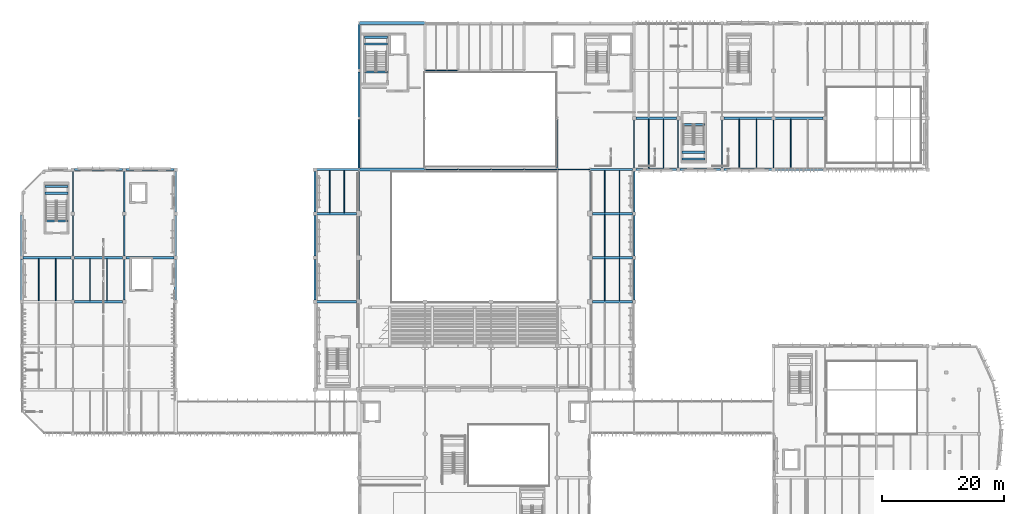
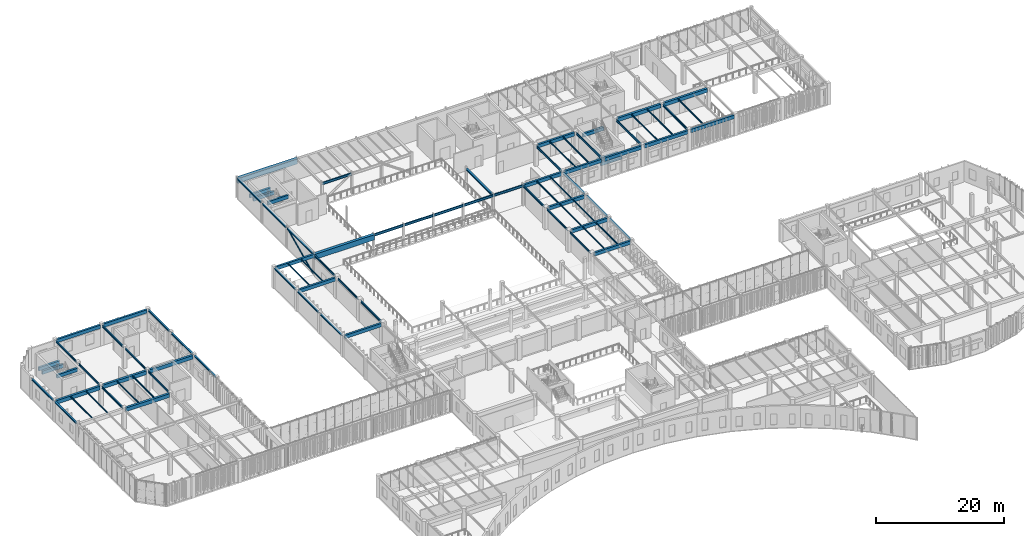
# One storey, part 14 of 122: 85 beams, 1 member.
"""IFC4 building model written with IfcOpenShell, lengths in metres."""

from ifc_helpers import new_model, si_unit, direction, frame, origin, origin_2d, place, context, subcontext, project, spatial, rectangle, hollow_circle, i_section, extrude, material, material_profile, profile_set, type_object, element, save


model = new_model("IFC4")

# Units and contexts
model_context = context("Model", 3, precision=1e-05, world=origin(), true_north=direction((0.0, 1.0)))
body_context = subcontext(model_context, "Body", "Model", "MODEL_VIEW")
ifc_project = project(units=[si_unit("LENGTHUNIT", "METRE"), si_unit("AREAUNIT", "SQUARE_METRE"), si_unit("VOLUMEUNIT", "CUBIC_METRE"), si_unit("PLANEANGLEUNIT", "RADIAN"), si_unit("MASSUNIT", "GRAM", prefix="KILO")], contexts=[model_context])

# Site, building, storey
site_placement = place(None, origin())
site = spatial("IfcSite", under=ifc_project, at=site_placement, CompositionType="ELEMENT")
building_placement = place(site_placement, origin())
building = spatial("IfcBuilding", under=site, at=building_placement, Name="Tazoul Stagehouse", CompositionType="ELEMENT")
storey_placement = place(building_placement, frame((0.0, 0.0, 4.800048828125)))
storey = spatial("IfcBuildingStorey", under=building, at=storey_placement, Name="L01", CompositionType="ELEMENT", Elevation=4.800048828125)

# Member
ifc_material_1 = material(Name="Steel S355", Category="steel")
ifc_material_profile_1 = material_profile(ifc_material_1, hollow_circle(Radius=0.136474609375, WallThickness=0.010009765625, at=origin_2d()), Name="CHS 273x10")
ifc_profile_set_1 = profile_set([ifc_material_profile_1], Name="Steel S355")
member_type = type_object("IfcMemberType", Name="Fly-Tower Diagonal Brace CHS 273x10 (Exterior)", PredefinedType="BRACE", material=ifc_profile_set_1)
member_placement = place(storey_placement, frame((57.60009765625, 87.919921875, 0.050048828125), z_axis=(0.0, 0.905335023516, 0.42469812243), x_axis=(-1.0, 0.0, 0.0)))
element("IfcMember", 1, at=member_placement, inside=storey, type_object=member_type, Name="L01 Concentric Brace BR-01E (BR-FT-L01-W1)", PredefinedType="BRACE", context=body_context, shape_type="SweptSolid", body=[
    extrude(hollow_circle(Radius=0.136474609375, WallThickness=0.010009765625, at=origin_2d()), origin(), (0.0, 0.0, 1.0), 8.947021484375),
])

# Beams
ifc_material_2 = material(Name="Concrete C40/50", Category="concrete")
ifc_material_profile_2 = material_profile(ifc_material_2, rectangle(XDim=0.35009765625, YDim=0.64990234375, at=origin_2d()), Name="RC 350x650")
ifc_profile_set_2 = profile_set([ifc_material_profile_2], Name="Concrete C40/50")
beam_type_1 = type_object("IfcBeamType", Name="RC Perimeter Spandrel 350x650 (Exterior)", PredefinedType="SPANDREL", material=ifc_profile_set_2)
beam_1_placement = place(storey_placement, frame((11.074951171875, 87.800048828125, 3.613037109375), z_axis=(1.0, 0.0, 0.0), x_axis=(0.0, 1.0, 0.0)))
element("IfcBeam", 2, at=beam_1_placement, inside=storey, type_object=beam_type_1, Name="L01 Beam SP-01E N/2-3", PredefinedType="SPANDREL", context=body_context, shape_type="SweptSolid", body=[
    extrude(rectangle(XDim=0.35009765625, YDim=0.64990234375, at=origin_2d()), origin(), (0.0, 0.0, 1.0), 7.85009765625),
])
beam_2_placement = place(storey_placement, frame((19.47509765625, 87.800048828125, 3.613037109375), z_axis=(1.0, 0.0, 0.0), x_axis=(0.0, 1.0, 0.0)))
element("IfcBeam", 3, at=beam_2_placement, inside=storey, type_object=beam_type_1, Name="L01 Beam SP-01E N/3-4", PredefinedType="SPANDREL", context=body_context, shape_type="SweptSolid", body=[
    extrude(rectangle(XDim=0.35009765625, YDim=0.64990234375, at=origin_2d()), origin(), (0.0, 0.0, 1.0), 7.849853515625),
])
beam_3_placement = place(storey_placement, frame((50.675048828125, 87.800048828125, 3.613037109375), z_axis=(1.0, 0.0, 0.0), x_axis=(0.0, 1.0, 0.0)))
element("IfcBeam", 4, at=beam_3_placement, inside=storey, type_object=beam_type_1, Name="L01 Beam SP-01E N/7-8", PredefinedType="SPANDREL", context=body_context, shape_type="SweptSolid", body=[
    extrude(rectangle(XDim=0.35009765625, YDim=0.64990234375, at=origin_2d()), origin(), (0.0, 0.0, 1.0), 6.9150390625),
])
beam_4_placement = place(storey_placement, frame((102.875, 87.800048828125, 3.613037109375), z_axis=(1.0, 0.0, 0.0), x_axis=(0.0, 1.0, 0.0)))
element("IfcBeam", 5, at=beam_4_placement, inside=storey, type_object=beam_type_1, Name="L01 Beam SP-01E N/16-17", PredefinedType="SPANDREL", context=body_context, shape_type="SweptSolid", body=[
    extrude(rectangle(XDim=0.35009765625, YDim=0.64990234375, at=origin_2d()), origin(), (0.0, 0.0, 1.0), 6.64990234375),
])
beam_5_placement = place(storey_placement, frame((110.074951171875, 87.800048828125, 3.613037109375), z_axis=(1.0, 0.0, 0.0), x_axis=(0.0, 1.0, 0.0)))
element("IfcBeam", 6, at=beam_5_placement, inside=storey, type_object=beam_type_1, Name="L01 Beam SP-01E N/17-18", PredefinedType="SPANDREL", context=body_context, shape_type="SweptSolid", body=[
    extrude(rectangle(XDim=0.35009765625, YDim=0.64990234375, at=origin_2d()), origin(), (0.0, 0.0, 1.0), 6.650146484375),
])
beam_6_placement = place(storey_placement, frame((117.27490234375, 87.800048828125, 3.613037109375), z_axis=(1.0, 0.0, 0.0), x_axis=(0.0, 1.0, 0.0)))
element("IfcBeam", 7, at=beam_6_placement, inside=storey, type_object=beam_type_1, Name="L01 Beam SP-01E N/18-19", PredefinedType="SPANDREL", context=body_context, shape_type="SweptSolid", body=[
    extrude(rectangle(XDim=0.35009765625, YDim=0.64990234375, at=origin_2d()), origin(), (0.0, 0.0, 1.0), 7.85009765625),
])
beam_7_placement = place(storey_placement, frame((125.675048828125, 87.800048828125, 3.613037109375), z_axis=(1.0, 0.0, 0.0), x_axis=(0.0, 1.0, 0.0)))
element("IfcBeam", 8, at=beam_7_placement, inside=storey, type_object=beam_type_1, Name="L01 Beam SP-01E N/19-20", PredefinedType="SPANDREL", context=body_context, shape_type="SweptSolid", body=[
    extrude(rectangle(XDim=0.35009765625, YDim=0.64990234375, at=origin_2d()), origin(), (0.0, 0.0, 1.0), 7.849853515625),
])
ifc_material_profile_3 = material_profile(ifc_material_2, rectangle(XDim=0.35009765625, YDim=0.64990234375, at=origin_2d()), Name="RC 350x650")
ifc_profile_set_3 = profile_set([ifc_material_profile_3], Name="Concrete C40/50")
beam_type_2 = type_object("IfcBeamType", Name="RC Primary Girder 350x650", PredefinedType="BEAM", material=ifc_profile_set_3)
for number, where, z_axis, x_axis, name in (
    (9, (50.675048828125, 66.199951171875, 3.613037109375), (1.0, 0.0, 0.0), (0.0, 1.0, 0.0), "L01 Beam BM-01 K/7-8"),
    (10, (95.77490234375, 66.199951171875, 3.613037109375), (1.0, 0.0, 0.0), (0.0, 1.0, 0.0), "L01 Beam BM-01 K/15-16"),
    (11, (95.77490234375, 73.39990234375, 3.613037109375), (1.0, 0.0, 0.0), (0.0, 1.0, 0.0), "L01 Beam BM-01 L/15-16"),
    (12, (50.675048828125, 80.60009765625, 3.613037109375), (1.0, 0.0, 0.0), (0.0, 1.0, 0.0), "L01 Beam BM-01 M/7-8"),
    (13, (95.77490234375, 80.60009765625, 3.613037109375), (1.0, 0.0, 0.0), (0.0, 1.0, 0.0), "L01 Beam BM-01 M/15-16"),
):
    element("IfcBeam", number, at=place(storey_placement, frame(where, z_axis=z_axis, x_axis=x_axis)), inside=storey, type_object=beam_type_2, Name=name, PredefinedType="BEAM", context=body_context, shape_type="SweptSolid", body=[
        extrude(rectangle(XDim=0.35009765625, YDim=0.64990234375, at=origin_2d()), origin(), (0.0, 0.0, 1.0), 6.550048828125),
    ])
beam_8_placement = place(storey_placement, frame((95.409912109375, 87.800048828125, 3.613037109375), z_axis=(1.0, 0.0, 0.0), x_axis=(0.0, 1.0, 0.0)))
element("IfcBeam", 14, at=beam_8_placement, inside=storey, type_object=beam_type_2, Name="L01 Beam BM-01 N/15-16", PredefinedType="BEAM", context=body_context, shape_type="SweptSolid", body=[
    extrude(rectangle(XDim=0.35009765625, YDim=0.64990234375, at=origin_2d()), origin(), (0.0, 0.0, 1.0), 6.9150390625),
])
beam_9_placement = place(storey_placement, frame((102.875, 96.199951171875, 3.613037109375), z_axis=(1.0, 0.0, 0.0), x_axis=(0.0, 1.0, 0.0)))
element("IfcBeam", 15, at=beam_9_placement, inside=storey, type_object=beam_type_2, Name="L01 Beam BM-01 P/16-17", PredefinedType="BEAM", context=body_context, shape_type="SweptSolid", body=[
    extrude(rectangle(XDim=0.35009765625, YDim=0.64990234375, at=origin_2d()), origin(), (0.0, 0.0, 1.0), 6.64990234375),
])
for number, where, z_axis, x_axis, name in (
    (16, (58.469970703125, 108.35009765625, 1.579833984375), (1.0, 0.0, 0.0), (0.0, 1.0, 0.0), "L01 Stair Half-Landing Trimmer BM-01 (ST-03-1)"),
    (17, (58.469970703125, 109.449951171875, 1.579833984375), (1.0, 0.0, 0.0), (0.0, 1.0, 0.0), "L01 Stair Half-Landing Trimmer BM-01 (ST-03-2)"),
    (18, (58.469970703125, 103.800048828125, 3.614990234375), (1.0, 0.0, 0.0), (0.0, 1.0, 0.0), "L01 Stair Landing Trimmer BM-01 (ST-03-FL)"),
    (19, (110.419921875, 89.550048828125, 1.579833984375), (1.0, 0.0, 0.0), (0.0, 1.0, 0.0), "L01 Stair Half-Landing Trimmer BM-01 (ST-04-1)"),
    (20, (110.419921875, 90.64990234375, 1.579833984375), (1.0, 0.0, 0.0), (0.0, 1.0, 0.0), "L01 Stair Half-Landing Trimmer BM-01 (ST-04-2)"),
    (21, (110.419921875, 95.199951171875, 3.614990234375), (1.0, 0.0, 0.0), (0.0, 1.0, 0.0), "L01 Stair Landing Trimmer BM-01 (ST-04-FL)"),
    (22, (6.219970703125, 83.949951171875, 1.579833984375), (1.0, 0.0, 0.0), (0.0, 1.0, 0.0), "L01 Stair Half-Landing Trimmer BM-01 (ST-06-1)"),
    (23, (6.219970703125, 85.050048828125, 1.579833984375), (1.0, 0.0, 0.0), (0.0, 1.0, 0.0), "L01 Stair Half-Landing Trimmer BM-01 (ST-06-2)"),
    (24, (6.219970703125, 79.39990234375, 3.614990234375), (1.0, 0.0, 0.0), (0.0, 1.0, 0.0), "L01 Stair Landing Trimmer BM-01 (ST-06-FL)"),
):
    element("IfcBeam", number, at=place(storey_placement, frame(where, z_axis=z_axis, x_axis=x_axis)), inside=storey, type_object=beam_type_2, Name=name, PredefinedType="BEAM", context=body_context, shape_type="SweptSolid", body=[
        extrude(rectangle(XDim=0.35009765625, YDim=0.64990234375, at=origin_2d()), origin(), (0.0, 0.0, 1.0), 3.81005859375),
    ])
ifc_material_profile_4 = material_profile(ifc_material_2, rectangle(XDim=0.39990234375, YDim=0.699951171875, at=origin_2d()), Name="RC 400x700")
ifc_profile_set_4 = profile_set([ifc_material_profile_4], Name="Concrete C40/50")
beam_type_3 = type_object("IfcBeamType", Name="RC Primary Girder 400x700", PredefinedType="BEAM", material=ifc_profile_set_4)
beam_10_placement = place(storey_placement, frame((11.074951171875, 66.199951171875, 3.587890625), z_axis=(1.0, 0.0, 0.0), x_axis=(0.0, 1.0, 0.0)))
element("IfcBeam", 25, at=beam_10_placement, inside=storey, type_object=beam_type_3, Name="L01 Beam BM-02 K/2-3", PredefinedType="BEAM", context=body_context, shape_type="SweptSolid", body=[
    extrude(rectangle(XDim=0.39990234375, YDim=0.699951171875, at=origin_2d()), origin(), (0.0, 0.0, 1.0), 7.85009765625),
])
beam_11_placement = place(storey_placement, frame((2.625, 73.39990234375, 3.587890625), z_axis=(1.0, 0.0, 0.0), x_axis=(0.0, 1.0, 0.0)))
element("IfcBeam", 26, at=beam_11_placement, inside=storey, type_object=beam_type_3, Name="L01 Beam BM-02 L/1-2", PredefinedType="BEAM", context=body_context, shape_type="SweptSolid", body=[
    extrude(rectangle(XDim=0.39990234375, YDim=0.699951171875, at=origin_2d()), origin(), (0.0, 0.0, 1.0), 7.89990234375),
])
beam_12_placement = place(storey_placement, frame((11.074951171875, 73.39990234375, 3.587890625), z_axis=(1.0, 0.0, 0.0), x_axis=(0.0, 1.0, 0.0)))
element("IfcBeam", 27, at=beam_12_placement, inside=storey, type_object=beam_type_3, Name="L01 Beam BM-02 L/2-3", PredefinedType="BEAM", context=body_context, shape_type="SweptSolid", body=[
    extrude(rectangle(XDim=0.39990234375, YDim=0.699951171875, at=origin_2d()), origin(), (0.0, 0.0, 1.0), 7.85009765625),
])
beam_13_placement = place(storey_placement, frame((19.47509765625, 73.39990234375, 3.587890625), z_axis=(1.0, 0.0, 0.0), x_axis=(0.0, 1.0, 0.0)))
element("IfcBeam", 28, at=beam_13_placement, inside=storey, type_object=beam_type_3, Name="L01 Beam BM-02 L/3-4", PredefinedType="BEAM", context=body_context, shape_type="SweptSolid", body=[
    extrude(rectangle(XDim=0.39990234375, YDim=0.699951171875, at=origin_2d()), origin(), (0.0, 0.0, 1.0), 7.849853515625),
])
beam_14_placement = place(storey_placement, frame((117.27490234375, 96.199951171875, 3.587890625), z_axis=(1.0, 0.0, 0.0), x_axis=(0.0, 1.0, 0.0)))
element("IfcBeam", 29, at=beam_14_placement, inside=storey, type_object=beam_type_3, Name="L01 Beam BM-02 P/18-19", PredefinedType="BEAM", context=body_context, shape_type="SweptSolid", body=[
    extrude(rectangle(XDim=0.39990234375, YDim=0.699951171875, at=origin_2d()), origin(), (0.0, 0.0, 1.0), 7.85009765625),
])
beam_15_placement = place(storey_placement, frame((125.675048828125, 96.199951171875, 3.587890625), z_axis=(1.0, 0.0, 0.0), x_axis=(0.0, 1.0, 0.0)))
element("IfcBeam", 30, at=beam_15_placement, inside=storey, type_object=beam_type_3, Name="L01 Beam BM-02 P/19-20", PredefinedType="BEAM", context=body_context, shape_type="SweptSolid", body=[
    extrude(rectangle(XDim=0.39990234375, YDim=0.699951171875, at=origin_2d()), origin(), (0.0, 0.0, 1.0), 7.849853515625),
])
ifc_material_profile_5 = material_profile(ifc_material_2, rectangle(XDim=0.5, YDim=1.0, at=origin_2d()), Name="RC 500x1000")
ifc_profile_set_5 = profile_set([ifc_material_profile_5], Name="Concrete C40/50")
beam_type_4 = type_object("IfcBeamType", Name="RC Transfer Girder 500x1000", PredefinedType="BEAM", material=ifc_profile_set_5)
beam_16_placement = place(storey_placement, frame((57.610107421875, 87.800048828125, 3.43798828125), z_axis=(1.0, 0.0, 0.0), x_axis=(0.0, 1.0, 0.0)))
element("IfcBeam", 31, at=beam_16_placement, inside=storey, type_object=beam_type_4, Name="L01 Beam BM-04 N/8-10", PredefinedType="BEAM", context=body_context, shape_type="SweptSolid", body=[
    extrude(rectangle(XDim=0.5, YDim=1.0, at=origin_2d()), origin(), (0.0, 0.0, 1.0), 10.77978515625),
])
ifc_material_profile_6 = material_profile(ifc_material_2, rectangle(XDim=0.5, YDim=1.0, at=origin_2d()), Name="RC 500x1000")
ifc_profile_set_6 = profile_set([ifc_material_profile_6], Name="Concrete C40/50")
beam_type_5 = type_object("IfcBeamType", Name="RC Transfer Girder 500x1000 (Exterior)", PredefinedType="BEAM", material=ifc_profile_set_6)
beam_17_placement = place(storey_placement, frame((57.610107421875, 111.800048828125, 3.43798828125), z_axis=(1.0, 0.0, 0.0), x_axis=(0.0, 1.0, 0.0)))
element("IfcBeam", 32, at=beam_17_placement, inside=storey, type_object=beam_type_5, Name="L01 Beam BM-04E R/8-10", PredefinedType="BEAM", context=body_context, shape_type="SweptSolid", body=[
    extrude(rectangle(XDim=0.5, YDim=1.0, at=origin_2d()), origin(), (0.0, 0.0, 1.0), 10.77978515625),
])
ifc_material_profile_7 = material_profile(ifc_material_1, i_section(OverallWidth=0.280029296875, OverallDepth=0.27001953125, WebThickness=0.008056640625, FlangeThickness=0.012939453125, FilletRadius=0.02392578125, at=origin_2d()), Name="HEA 280")
ifc_profile_set_7 = profile_set([ifc_material_profile_7], Name="Steel S355")
beam_type_6 = type_object("IfcBeamType", Name="Steel Facade Spandrel HEA 280 (Exterior)", PredefinedType="SPANDREL", material=ifc_profile_set_7)
for number, where, z_axis, x_axis, name in (
    (33, (2.39990234375, 66.425048828125, 3.802978515625), (0.0, 1.0, 0.0), (-1.0, 0.0, 0.0), "L01 Beam SP-02E 1/K-L"),
    (34, (2.39990234375, 73.625, 3.802978515625), (0.0, 1.0, 0.0), (-1.0, 0.0, 0.0), "L01 Beam SP-02E 1/L-M"),
):
    element("IfcBeam", number, at=place(storey_placement, frame(where, z_axis=z_axis, x_axis=x_axis)), inside=storey, type_object=beam_type_6, Name=name, PredefinedType="SPANDREL", context=body_context, shape_type="SweptSolid", body=[
        extrude(i_section(OverallWidth=0.280029296875, OverallDepth=0.27001953125, WebThickness=0.008056640625, FlangeThickness=0.012939453125, FilletRadius=0.02392578125, at=origin_2d()), origin(), (0.0, 0.0, 1.0), 6.75),
    ])
for number, where, z_axis, x_axis, name in (
    (35, (27.60009765625, 66.47509765625, 3.802978515625), (0.0, 1.0, 0.0), (-1.0, 0.0, 0.0), "L01 Beam SP-02E 4/K-L"),
    (36, (27.60009765625, 73.675048828125, 3.802978515625), (0.0, 1.0, 0.0), (-1.0, 0.0, 0.0), "L01 Beam SP-02E 4/L-M"),
    (37, (27.60009765625, 80.875, 3.802978515625), (0.0, 1.0, 0.0), (-1.0, 0.0, 0.0), "L01 Beam SP-02E 4/M-N"),
    (38, (50.39990234375, 66.47509765625, 3.802978515625), (0.0, 1.0, 0.0), (-1.0, 0.0, 0.0), "L01 Beam SP-02E 7/K-L"),
    (39, (50.39990234375, 73.675048828125, 3.802978515625), (0.0, 1.0, 0.0), (-1.0, 0.0, 0.0), "L01 Beam SP-02E 7/L-M"),
    (40, (50.39990234375, 80.875, 3.802978515625), (0.0, 1.0, 0.0), (-1.0, 0.0, 0.0), "L01 Beam SP-02E 7/M-N"),
):
    element("IfcBeam", number, at=place(storey_placement, frame(where, z_axis=z_axis, x_axis=x_axis)), inside=storey, type_object=beam_type_6, Name=name, PredefinedType="SPANDREL", context=body_context, shape_type="SweptSolid", body=[
        extrude(i_section(OverallWidth=0.280029296875, OverallDepth=0.27001953125, WebThickness=0.008056640625, FlangeThickness=0.012939453125, FilletRadius=0.02392578125, at=origin_2d()), origin(), (0.0, 0.0, 1.0), 6.64990234375),
    ])
beam_18_placement = place(storey_placement, frame((57.60009765625, 88.0, 3.802978515625), z_axis=(0.0, 1.0, 0.0), x_axis=(-1.0, 0.0, 0.0)))
element("IfcBeam", 41, at=beam_18_placement, inside=storey, type_object=beam_type_6, Name="L01 Beam SP-02E 8/N-P", PredefinedType="SPANDREL", context=body_context, shape_type="SweptSolid", body=[
    extrude(i_section(OverallWidth=0.280029296875, OverallDepth=0.27001953125, WebThickness=0.008056640625, FlangeThickness=0.012939453125, FilletRadius=0.02392578125, at=origin_2d()), origin(), (0.0, 0.0, 1.0), 8.044921875),
])
beam_19_placement = place(storey_placement, frame((57.60009765625, 96.35498046875, 3.802978515625), z_axis=(0.0, 1.0, 0.0), x_axis=(-1.0, 0.0, 0.0)))
element("IfcBeam", 42, at=beam_19_placement, inside=storey, type_object=beam_type_6, Name="L01 Beam SP-02E 8/P-Q", PredefinedType="SPANDREL", context=body_context, shape_type="SweptSolid", body=[
    extrude(i_section(OverallWidth=0.280029296875, OverallDepth=0.27001953125, WebThickness=0.008056640625, FlangeThickness=0.012939453125, FilletRadius=0.02392578125, at=origin_2d()), origin(), (0.0, 0.0, 1.0), 7.445068359375),
])
beam_20_placement = place(storey_placement, frame((57.60009765625, 104.199951171875, 3.802978515625), z_axis=(0.0, 1.0, 0.0), x_axis=(-1.0, 0.0, 0.0)))
element("IfcBeam", 43, at=beam_20_placement, inside=storey, type_object=beam_type_6, Name="L01 Beam SP-02E 8/Q-R", PredefinedType="SPANDREL", context=body_context, shape_type="SweptSolid", body=[
    extrude(i_section(OverallWidth=0.280029296875, OverallDepth=0.27001953125, WebThickness=0.008056640625, FlangeThickness=0.012939453125, FilletRadius=0.02392578125, at=origin_2d()), origin(), (0.0, 0.0, 1.0), 7.400146484375),
])
for number, where, z_axis, x_axis, name in (
    (44, (102.60009765625, 66.47509765625, 3.802978515625), (0.0, 1.0, 0.0), (-1.0, 0.0, 0.0), "L01 Beam SP-02E 16/K-L"),
    (45, (102.60009765625, 73.675048828125, 3.802978515625), (0.0, 1.0, 0.0), (-1.0, 0.0, 0.0), "L01 Beam SP-02E 16/L-M"),
    (46, (102.60009765625, 80.875, 3.802978515625), (0.0, 1.0, 0.0), (-1.0, 0.0, 0.0), "L01 Beam SP-02E 16/M-N"),
):
    element("IfcBeam", number, at=place(storey_placement, frame(where, z_axis=z_axis, x_axis=x_axis)), inside=storey, type_object=beam_type_6, Name=name, PredefinedType="SPANDREL", context=body_context, shape_type="SweptSolid", body=[
        extrude(i_section(OverallWidth=0.280029296875, OverallDepth=0.27001953125, WebThickness=0.008056640625, FlangeThickness=0.012939453125, FilletRadius=0.02392578125, at=origin_2d()), origin(), (0.0, 0.0, 1.0), 6.64990234375),
    ])
ifc_material_profile_8 = material_profile(ifc_material_1, i_section(OverallWidth=0.1201171875, OverallDepth=0.239990234375, WebThickness=0.006103515625, FlangeThickness=0.009765625, FilletRadius=0.014892578125, at=origin_2d()), Name="IPE 240")
ifc_profile_set_8 = profile_set([ifc_material_profile_8], Name="Steel S355")
beam_type_7 = type_object("IfcBeamType", Name="Steel Floor Joist IPE 240", PredefinedType="JOIST", material=ifc_profile_set_8)
for number, where, z_axis, x_axis, name in (
    (47, (5.199951171875, 66.375, 3.81787109375), (0.0, 1.0, 0.0), (-1.0, 0.0, 0.0), "L01 Joist JS-01 1/K-1"),
    (48, (8.0, 66.375, 3.81787109375), (0.0, 1.0, 0.0), (-1.0, 0.0, 0.0), "L01 Joist JS-01 1/K-2"),
    (49, (13.60009765625, 66.375, 3.81787109375), (0.0, 1.0, 0.0), (-1.0, 0.0, 0.0), "L01 Joist JS-01 2/K-1"),
    (50, (16.39990234375, 66.375, 3.81787109375), (0.0, 1.0, 0.0), (-1.0, 0.0, 0.0), "L01 Joist JS-01 2/K-2"),
):
    element("IfcBeam", number, at=place(storey_placement, frame(where, z_axis=z_axis, x_axis=x_axis)), inside=storey, type_object=beam_type_7, Name=name, PredefinedType="JOIST", context=body_context, shape_type="SweptSolid", body=[
        extrude(i_section(OverallWidth=0.1201171875, OverallDepth=0.239990234375, WebThickness=0.006103515625, FlangeThickness=0.009765625, FilletRadius=0.014892578125, at=origin_2d()), origin(), (0.0, 0.0, 1.0), 6.85009765625),
    ])
for number, where, z_axis, x_axis, name in (
    (51, (97.800048828125, 66.35009765625, 3.81787109375), (0.0, 1.0, 0.0), (-1.0, 0.0, 0.0), "L01 Joist JS-01 15/K-1"),
    (52, (100.199951171875, 66.35009765625, 3.81787109375), (0.0, 1.0, 0.0), (-1.0, 0.0, 0.0), "L01 Joist JS-01 15/K-2"),
    (53, (97.800048828125, 73.550048828125, 3.81787109375), (0.0, 1.0, 0.0), (-1.0, 0.0, 0.0), "L01 Joist JS-01 15/L-1"),
    (54, (100.199951171875, 73.550048828125, 3.81787109375), (0.0, 1.0, 0.0), (-1.0, 0.0, 0.0), "L01 Joist JS-01 15/L-2"),
    (55, (52.800048828125, 80.75, 3.81787109375), (0.0, 1.0, 0.0), (-1.0, 0.0, 0.0), "L01 Joist JS-01 7/M-1"),
    (56, (55.199951171875, 80.75, 3.81787109375), (0.0, 1.0, 0.0), (-1.0, 0.0, 0.0), "L01 Joist JS-01 7/M-2"),
    (57, (97.800048828125, 80.75, 3.81787109375), (0.0, 1.0, 0.0), (-1.0, 0.0, 0.0), "L01 Joist JS-01 15/M-1"),
    (58, (100.199951171875, 80.75, 3.81787109375), (0.0, 1.0, 0.0), (-1.0, 0.0, 0.0), "L01 Joist JS-01 15/M-2"),
):
    element("IfcBeam", number, at=place(storey_placement, frame(where, z_axis=z_axis, x_axis=x_axis)), inside=storey, type_object=beam_type_7, Name=name, PredefinedType="JOIST", context=body_context, shape_type="SweptSolid", body=[
        extrude(i_section(OverallWidth=0.1201171875, OverallDepth=0.239990234375, WebThickness=0.006103515625, FlangeThickness=0.009765625, FilletRadius=0.014892578125, at=origin_2d()), origin(), (0.0, 0.0, 1.0), 6.89990234375),
    ])
ifc_material_profile_9 = material_profile(ifc_material_1, i_section(OverallWidth=0.135009765625, OverallDepth=0.27001953125, WebThickness=0.006591796875, FlangeThickness=0.01025390625, FilletRadius=0.014892578125, at=origin_2d()), Name="IPE 270")
ifc_profile_set_9 = profile_set([ifc_material_profile_9], Name="Steel S355")
beam_type_8 = type_object("IfcBeamType", Name="Steel Floor Joist IPE 270", PredefinedType="JOIST", material=ifc_profile_set_9)
for number, where, z_axis, x_axis, name in (
    (59, (105.0, 87.949951171875, 3.802978515625), (0.0, 1.0, 0.0), (-1.0, 0.0, 0.0), "L01 Joist JS-02 16/N-1"),
    (60, (107.39990234375, 87.949951171875, 3.802978515625), (0.0, 1.0, 0.0), (-1.0, 0.0, 0.0), "L01 Joist JS-02 16/N-2"),
):
    element("IfcBeam", number, at=place(storey_placement, frame(where, z_axis=z_axis, x_axis=x_axis)), inside=storey, type_object=beam_type_8, Name=name, PredefinedType="JOIST", context=body_context, shape_type="SweptSolid", body=[
        extrude(i_section(OverallWidth=0.135009765625, OverallDepth=0.27001953125, WebThickness=0.006591796875, FlangeThickness=0.01025390625, FilletRadius=0.014892578125, at=origin_2d()), origin(), (0.0, 0.0, 1.0), 8.10009765625),
    ])
for number, where, z_axis, x_axis, name in (
    (61, (119.800048828125, 87.949951171875, 3.802978515625), (0.0, 1.0, 0.0), (-1.0, 0.0, 0.0), "L01 Joist JS-02 18/N-1"),
    (62, (122.60009765625, 87.949951171875, 3.802978515625), (0.0, 1.0, 0.0), (-1.0, 0.0, 0.0), "L01 Joist JS-02 18/N-2"),
    (63, (128.199951171875, 87.949951171875, 3.802978515625), (0.0, 1.0, 0.0), (-1.0, 0.0, 0.0), "L01 Joist JS-02 19/N-1"),
):
    element("IfcBeam", number, at=place(storey_placement, frame(where, z_axis=z_axis, x_axis=x_axis)), inside=storey, type_object=beam_type_8, Name=name, PredefinedType="JOIST", context=body_context, shape_type="SweptSolid", body=[
        extrude(i_section(OverallWidth=0.135009765625, OverallDepth=0.27001953125, WebThickness=0.006591796875, FlangeThickness=0.01025390625, FilletRadius=0.014892578125, at=origin_2d()), origin(), (0.0, 0.0, 1.0), 8.074951171875),
    ])
ifc_material_profile_10 = material_profile(ifc_material_1, i_section(OverallWidth=0.300048828125, OverallDepth=0.35009765625, WebThickness=0.010009765625, FlangeThickness=0.017578125, FilletRadius=0.027099609375, at=origin_2d()), Name="HEA 360")
ifc_profile_set_10 = profile_set([ifc_material_profile_10], Name="Steel S355")
beam_type_9 = type_object("IfcBeamType", Name="Steel Fly-Tower Ring Beam HEA 360", PredefinedType="BEAM", material=ifc_profile_set_10)
beam_21_placement = place(storey_placement, frame((90.0, 88.0, 3.762939453125), z_axis=(0.0, 1.0, 0.0), x_axis=(-1.0, 0.0, 0.0)))
element("IfcBeam", 64, at=beam_21_placement, inside=storey, type_object=beam_type_9, Name="L01 Beam SB-07 14/N-P", PredefinedType="BEAM", context=body_context, shape_type="SweptSolid", body=[
    extrude(i_section(OverallWidth=0.300048828125, OverallDepth=0.35009765625, WebThickness=0.010009765625, FlangeThickness=0.017578125, FilletRadius=0.027099609375, at=origin_2d()), origin(), (0.0, 0.0, 1.0), 8.044921875),
])
ifc_material_profile_11 = material_profile(ifc_material_1, i_section(OverallWidth=0.169921875, OverallDepth=0.360107421875, WebThickness=0.008056640625, FlangeThickness=0.0126953125, FilletRadius=0.01806640625, at=origin_2d()), Name="IPE 360")
ifc_profile_set_11 = profile_set([ifc_material_profile_11], Name="Steel S355")
beam_type_10 = type_object("IfcBeamType", Name="Steel Primary Girder IPE 360", PredefinedType="BEAM", material=ifc_profile_set_11)
for number, where, z_axis, x_axis, name in (
    (65, (10.800048828125, 66.47509765625, 3.758056640625), (0.0, 1.0, 0.0), (-1.0, 0.0, 0.0), "L01 Beam SB-01 2/K-L"),
    (66, (10.800048828125, 73.675048828125, 3.758056640625), (0.0, 1.0, 0.0), (-1.0, 0.0, 0.0), "L01 Beam SB-01 2/L-M"),
    (67, (10.800048828125, 80.875, 3.758056640625), (0.0, 1.0, 0.0), (-1.0, 0.0, 0.0), "L01 Beam SB-01 2/M-N"),
    (68, (19.199951171875, 66.47509765625, 3.758056640625), (0.0, 1.0, 0.0), (-1.0, 0.0, 0.0), "L01 Beam SB-01 3/K-L"),
    (69, (19.199951171875, 73.675048828125, 3.758056640625), (0.0, 1.0, 0.0), (-1.0, 0.0, 0.0), "L01 Beam SB-01 3/L-M"),
    (70, (19.199951171875, 80.875, 3.758056640625), (0.0, 1.0, 0.0), (-1.0, 0.0, 0.0), "L01 Beam SB-01 3/M-N"),
):
    element("IfcBeam", number, at=place(storey_placement, frame(where, z_axis=z_axis, x_axis=x_axis)), inside=storey, type_object=beam_type_10, Name=name, PredefinedType="BEAM", context=body_context, shape_type="SweptSolid", body=[
        extrude(i_section(OverallWidth=0.169921875, OverallDepth=0.360107421875, WebThickness=0.008056640625, FlangeThickness=0.0126953125, FilletRadius=0.01806640625, at=origin_2d()), origin(), (0.0, 0.0, 1.0), 6.64990234375),
    ])
beam_22_placement = place(storey_placement, frame((57.60009765625, 66.574951171875, 3.758056640625), z_axis=(0.0, 1.0, 0.0), x_axis=(-1.0, 0.0, 0.0)))
element("IfcBeam", 71, at=beam_22_placement, inside=storey, type_object=beam_type_10, Name="L01 Beam SB-01 8/K-L", PredefinedType="BEAM", context=body_context, shape_type="SweptSolid", body=[
    extrude(i_section(OverallWidth=0.169921875, OverallDepth=0.360107421875, WebThickness=0.008056640625, FlangeThickness=0.0126953125, FilletRadius=0.01806640625, at=origin_2d()), origin(), (0.0, 0.0, 1.0), 6.449951171875),
])
beam_23_placement = place(storey_placement, frame((57.60009765625, 73.77490234375, 3.758056640625), z_axis=(0.0, 1.0, 0.0), x_axis=(-1.0, 0.0, 0.0)))
element("IfcBeam", 72, at=beam_23_placement, inside=storey, type_object=beam_type_10, Name="L01 Beam SB-01 8/L-M", PredefinedType="BEAM", context=body_context, shape_type="SweptSolid", body=[
    extrude(i_section(OverallWidth=0.169921875, OverallDepth=0.360107421875, WebThickness=0.008056640625, FlangeThickness=0.0126953125, FilletRadius=0.01806640625, at=origin_2d()), origin(), (0.0, 0.0, 1.0), 6.4501953125),
])
beam_24_placement = place(storey_placement, frame((57.60009765625, 80.97509765625, 3.758056640625), z_axis=(0.0, 1.0, 0.0), x_axis=(-1.0, 0.0, 0.0)))
element("IfcBeam", 73, at=beam_24_placement, inside=storey, type_object=beam_type_10, Name="L01 Beam SB-01 8/M-N", PredefinedType="BEAM", context=body_context, shape_type="SweptSolid", body=[
    extrude(i_section(OverallWidth=0.169921875, OverallDepth=0.360107421875, WebThickness=0.008056640625, FlangeThickness=0.0126953125, FilletRadius=0.01806640625, at=origin_2d()), origin(), (0.0, 0.0, 1.0), 6.625),
])
beam_25_placement = place(storey_placement, frame((95.39990234375, 66.574951171875, 3.758056640625), z_axis=(0.0, 1.0, 0.0), x_axis=(-1.0, 0.0, 0.0)))
element("IfcBeam", 74, at=beam_25_placement, inside=storey, type_object=beam_type_10, Name="L01 Beam SB-01 15/K-L", PredefinedType="BEAM", context=body_context, shape_type="SweptSolid", body=[
    extrude(i_section(OverallWidth=0.169921875, OverallDepth=0.360107421875, WebThickness=0.008056640625, FlangeThickness=0.0126953125, FilletRadius=0.01806640625, at=origin_2d()), origin(), (0.0, 0.0, 1.0), 6.449951171875),
])
beam_26_placement = place(storey_placement, frame((95.39990234375, 73.77490234375, 3.758056640625), z_axis=(0.0, 1.0, 0.0), x_axis=(-1.0, 0.0, 0.0)))
element("IfcBeam", 75, at=beam_26_placement, inside=storey, type_object=beam_type_10, Name="L01 Beam SB-01 15/L-M", PredefinedType="BEAM", context=body_context, shape_type="SweptSolid", body=[
    extrude(i_section(OverallWidth=0.169921875, OverallDepth=0.360107421875, WebThickness=0.008056640625, FlangeThickness=0.0126953125, FilletRadius=0.01806640625, at=origin_2d()), origin(), (0.0, 0.0, 1.0), 6.4501953125),
])
beam_27_placement = place(storey_placement, frame((95.39990234375, 80.97509765625, 3.758056640625), z_axis=(0.0, 1.0, 0.0), x_axis=(-1.0, 0.0, 0.0)))
element("IfcBeam", 76, at=beam_27_placement, inside=storey, type_object=beam_type_10, Name="L01 Beam SB-01 15/M-N", PredefinedType="BEAM", context=body_context, shape_type="SweptSolid", body=[
    extrude(i_section(OverallWidth=0.169921875, OverallDepth=0.360107421875, WebThickness=0.008056640625, FlangeThickness=0.0126953125, FilletRadius=0.01806640625, at=origin_2d()), origin(), (0.0, 0.0, 1.0), 6.625),
])
ifc_material_profile_12 = material_profile(ifc_material_1, i_section(OverallWidth=0.179931640625, OverallDepth=0.39990234375, WebThickness=0.008544921875, FlangeThickness=0.013427734375, FilletRadius=0.02099609375, at=origin_2d()), Name="IPE 400")
ifc_profile_set_12 = profile_set([ifc_material_profile_12], Name="Steel S355")
beam_type_11 = type_object("IfcBeamType", Name="Steel Primary Girder IPE 400", PredefinedType="BEAM", material=ifc_profile_set_12)
for number, where, z_axis, x_axis, name in (
    (77, (102.60009765625, 88.074951171875, 3.738037109375), (0.0, 1.0, 0.0), (-1.0, 0.0, 0.0), "L01 Beam SB-02 16/N-P"),
    (78, (109.800048828125, 88.074951171875, 3.738037109375), (0.0, 1.0, 0.0), (-1.0, 0.0, 0.0), "L01 Beam SB-02 17/N-P"),
    (79, (117.0, 88.074951171875, 3.738037109375), (0.0, 1.0, 0.0), (-1.0, 0.0, 0.0), "L01 Beam SB-02 18/N-P"),
    (80, (125.39990234375, 88.074951171875, 3.738037109375), (0.0, 1.0, 0.0), (-1.0, 0.0, 0.0), "L01 Beam SB-02 19/N-P"),
):
    element("IfcBeam", number, at=place(storey_placement, frame(where, z_axis=z_axis, x_axis=x_axis)), inside=storey, type_object=beam_type_11, Name=name, PredefinedType="BEAM", context=body_context, shape_type="SweptSolid", body=[
        extrude(i_section(OverallWidth=0.179931640625, OverallDepth=0.39990234375, WebThickness=0.008544921875, FlangeThickness=0.013427734375, FilletRadius=0.02099609375, at=origin_2d()), origin(), (0.0, 0.0, 1.0), 7.85009765625),
    ])
ifc_material_profile_13 = material_profile(ifc_material_1, i_section(OverallWidth=0.18994140625, OverallDepth=0.449951171875, WebThickness=0.009521484375, FlangeThickness=0.0146484375, FilletRadius=0.02099609375, at=origin_2d()), Name="IPE 450")
ifc_profile_set_13 = profile_set([ifc_material_profile_13], Name="Steel S355")
beam_type_12 = type_object("IfcBeamType", Name="Steel Stage Girder IPE 450", PredefinedType="BEAM", material=ifc_profile_set_13)
beam_28_placement = place(storey_placement, frame((68.409912109375, 87.800048828125, 3.712890625), z_axis=(1.0, 0.0, 0.0), x_axis=(0.0, 1.0, 0.0)))
element("IfcBeam", 81, at=beam_28_placement, inside=storey, type_object=beam_type_12, Name="L01 Beam SB-03 N/10-11", PredefinedType="BEAM", context=body_context, shape_type="SweptSolid", body=[
    extrude(i_section(OverallWidth=0.18994140625, OverallDepth=0.449951171875, WebThickness=0.009521484375, FlangeThickness=0.0146484375, FilletRadius=0.02099609375, at=origin_2d()), origin(), (0.0, 0.0, 1.0), 5.380126953125),
])
beam_29_placement = place(storey_placement, frame((73.81005859375, 87.800048828125, 3.712890625), z_axis=(1.0, 0.0, 0.0), x_axis=(0.0, 1.0, 0.0)))
element("IfcBeam", 82, at=beam_29_placement, inside=storey, type_object=beam_type_12, Name="L01 Beam SB-03 N/11-12", PredefinedType="BEAM", context=body_context, shape_type="SweptSolid", body=[
    extrude(i_section(OverallWidth=0.18994140625, OverallDepth=0.449951171875, WebThickness=0.009521484375, FlangeThickness=0.0146484375, FilletRadius=0.02099609375, at=origin_2d()), origin(), (0.0, 0.0, 1.0), 5.3798828125),
])
beam_30_placement = place(storey_placement, frame((79.2099609375, 87.800048828125, 3.712890625), z_axis=(1.0, 0.0, 0.0), x_axis=(0.0, 1.0, 0.0)))
element("IfcBeam", 83, at=beam_30_placement, inside=storey, type_object=beam_type_12, Name="L01 Beam SB-03 N/12-13", PredefinedType="BEAM", context=body_context, shape_type="SweptSolid", body=[
    extrude(i_section(OverallWidth=0.18994140625, OverallDepth=0.449951171875, WebThickness=0.009521484375, FlangeThickness=0.0146484375, FilletRadius=0.02099609375, at=origin_2d()), origin(), (0.0, 0.0, 1.0), 5.380126953125),
])
for number, where, z_axis, x_axis, name in (
    (84, (84.610107421875, 87.800048828125, 3.712890625), (1.0, 0.0, 0.0), (0.0, 1.0, 0.0), "L01 Beam SB-03 N/13-14"),
    (85, (90.010009765625, 87.800048828125, 3.712890625), (1.0, 0.0, 0.0), (0.0, 1.0, 0.0), "L01 Beam SB-03 N/14-15"),
):
    element("IfcBeam", number, at=place(storey_placement, frame(where, z_axis=z_axis, x_axis=x_axis)), inside=storey, type_object=beam_type_12, Name=name, PredefinedType="BEAM", context=body_context, shape_type="SweptSolid", body=[
        extrude(i_section(OverallWidth=0.18994140625, OverallDepth=0.449951171875, WebThickness=0.009521484375, FlangeThickness=0.0146484375, FilletRadius=0.02099609375, at=origin_2d()), origin(), (0.0, 0.0, 1.0), 5.3798828125),
    ])
beam_31_placement = place(storey_placement, frame((68.409912109375, 104.0, 3.712890625), z_axis=(1.0, 0.0, 0.0), x_axis=(0.0, 1.0, 0.0)))
element("IfcBeam", 86, at=beam_31_placement, inside=storey, type_object=beam_type_12, Name="L01 Beam SB-03 Q/10-11", PredefinedType="BEAM", context=body_context, shape_type="SweptSolid", body=[
    extrude(i_section(OverallWidth=0.18994140625, OverallDepth=0.449951171875, WebThickness=0.009521484375, FlangeThickness=0.0146484375, FilletRadius=0.02099609375, at=origin_2d()), origin(), (0.0, 0.0, 1.0), 5.380126953125),
])

save(model, "model.ifc")
